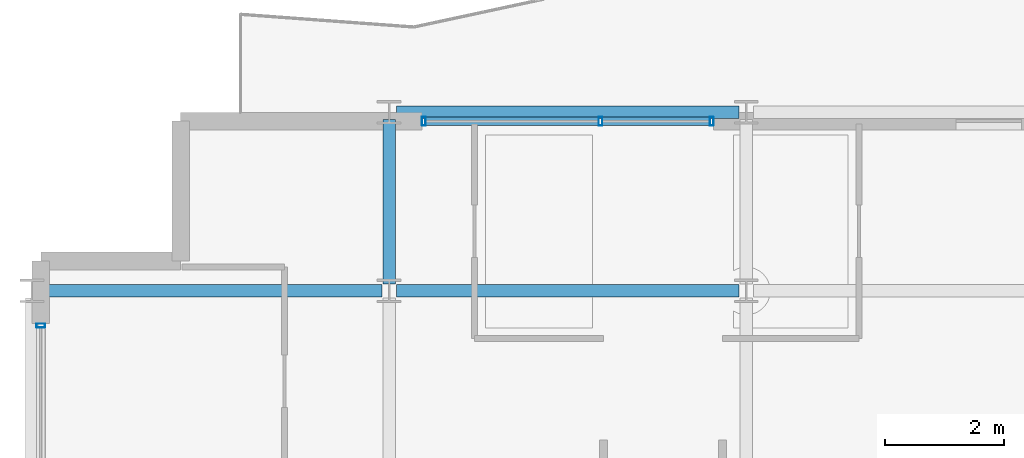
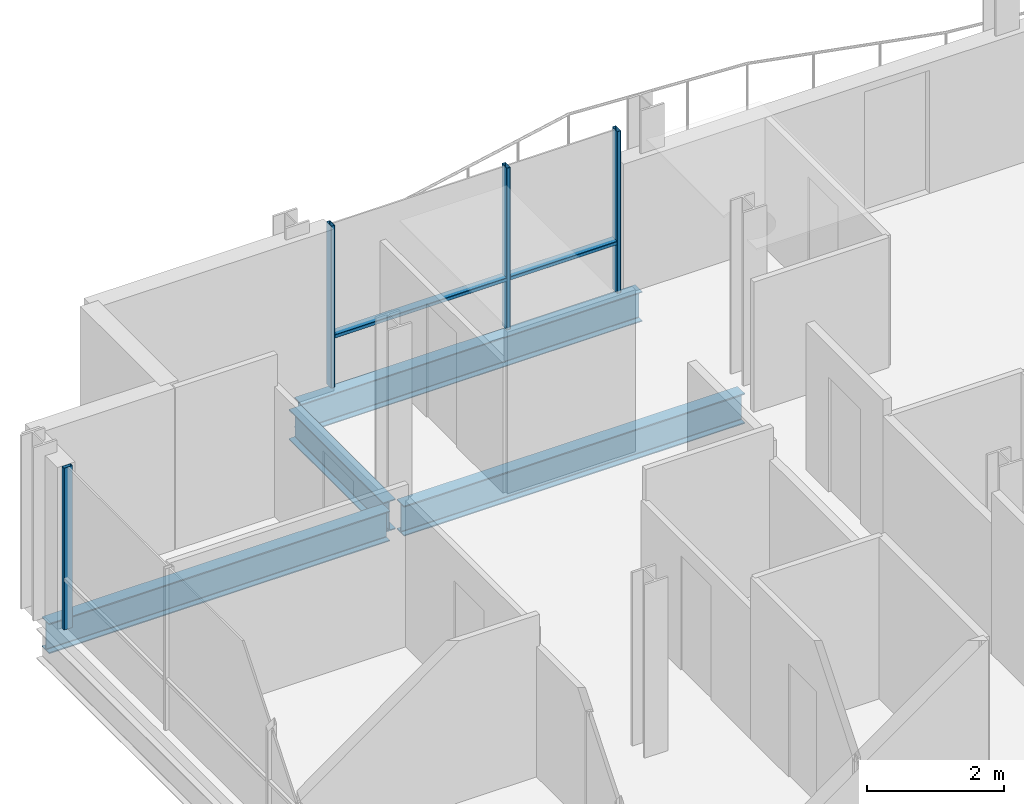
# One storey, part 7 of 33: 6 members, 4 beams, 2 elements without a shape of their own.
"""IFC4 building model written with IfcOpenShell, lengths in metres."""

from ifc_helpers import new_model, si_unit, direction, frame, origin, origin_2d, place, context, subcontext, project, spatial, hollow_rectangle, i_section, extrude, material, layer, layer_set, material_profile, profile_set, type_object, element, aggregate, save


model = new_model("IFC4")

# Units and contexts
model_context = context("Model", 3, precision=1e-05, world=origin(), true_north=direction((0.0, 1.0)))
body_context = subcontext(model_context, "Body", "Model", "MODEL_VIEW")
ifc_project = project(units=[si_unit("LENGTHUNIT", "METRE"), si_unit("AREAUNIT", "SQUARE_METRE"), si_unit("VOLUMEUNIT", "CUBIC_METRE"), si_unit("PLANEANGLEUNIT", "RADIAN"), si_unit("MASSUNIT", "GRAM", prefix="KILO")], contexts=[model_context])

# Site, building, storey
site_placement = place(None, origin())
site = spatial("IfcSite", under=ifc_project, at=site_placement, CompositionType="ELEMENT")
building_placement = place(site_placement, origin())
building = spatial("IfcBuilding", under=site, at=building_placement, Name="Brevholm Reach", CompositionType="ELEMENT")
storey_placement = place(building_placement, frame((0.0, 0.0, 189.39990234375)))
storey = spatial("IfcBuildingStorey", under=building, at=storey_placement, Name="L57", CompositionType="ELEMENT", Elevation=189.39990234375)

# Beams
ifc_material_1 = material(Name="Structural Steel S355J2", Category="steel")
ifc_material_profile_1 = material_profile(ifc_material_1, i_section(OverallWidth=0.209228515625, OverallDepth=0.533203125, WebThickness=0.010009765625, FlangeThickness=0.015625, FilletRadius=0.0126953125, at=origin_2d()), Name="UKB 533x210x92")
ifc_profile_set_1 = profile_set([ifc_material_profile_1], Name="Structural Steel S355J2")
beam_type_1 = type_object("IfcBeamType", Name="BM-SP533", PredefinedType="SPANDREL", material=ifc_profile_set_1)
beam_1_placement = place(storey_placement, frame((6.1201171875, 26.5, -0.4765625), z_axis=(1.0, 0.0, 0.0), x_axis=(0.0, 1.0, 0.0)))
element("IfcBeam", 1, at=beam_1_placement, inside=storey, type_object=beam_type_1, Name="L57 SP-02 Framing Beam", PredefinedType="SPANDREL", context=body_context, shape_type="SweptSolid", body=[
    extrude(i_section(OverallWidth=0.209228515625, OverallDepth=0.533203125, WebThickness=0.010009765625, FlangeThickness=0.015625, FilletRadius=0.0126953125, at=origin_2d()), origin(), (0.0, 0.0, 1.0), 5.759765625),
])
ifc_material_2 = material(Name="Structural Steel S355J2", Category="steel")
ifc_material_profile_2 = material_profile(ifc_material_2, i_section(OverallWidth=0.210693359375, OverallDepth=0.53955078125, WebThickness=0.01171875, FlangeThickness=0.018798828125, FilletRadius=0.0126953125, at=origin_2d()), Name="UKB 533x210x109")
ifc_profile_set_2 = profile_set([ifc_material_profile_2], Name="Structural Steel S355J2")
beam_type_2 = type_object("IfcBeamType", Name="BM-SP539", PredefinedType="SPANDREL", material=ifc_profile_set_2)
for number, where, z_axis, x_axis, name in (
    (2, (0.1201171875, 23.5, -0.479736328125), (1.0, 0.0, 0.0), (0.0, 1.0, 0.0), "L57 SP-01B Framing Beam"),
    (3, (6.1201171875, 23.5, -0.479736328125), (1.0, 0.0, 0.0), (0.0, 1.0, 0.0), "L57 SP-01B Framing Beam"),
):
    element("IfcBeam", number, at=place(storey_placement, frame(where, z_axis=z_axis, x_axis=x_axis)), inside=storey, type_object=beam_type_2, Name=name, PredefinedType="SPANDREL", context=body_context, shape_type="SweptSolid", body=[
        extrude(i_section(OverallWidth=0.210693359375, OverallDepth=0.53955078125, WebThickness=0.01171875, FlangeThickness=0.018798828125, FilletRadius=0.0126953125, at=origin_2d()), origin(), (0.0, 0.0, 1.0), 5.759765625),
    ])
beam_2_placement = place(storey_placement, frame((6.0, 23.6201171875, -0.479736328125), z_axis=(0.0, 1.0, 0.0), x_axis=(-1.0, 0.0, 0.0)))
element("IfcBeam", 4, at=beam_2_placement, inside=storey, type_object=beam_type_2, Name="L57 SP-01B Framing Beam", PredefinedType="SPANDREL", context=body_context, shape_type="SweptSolid", body=[
    extrude(i_section(OverallWidth=0.210693359375, OverallDepth=0.53955078125, WebThickness=0.01171875, FlangeThickness=0.018798828125, FilletRadius=0.0126953125, at=origin_2d()), origin(), (0.0, 0.0, 1.0), 2.759765625),
])

# Curtain wall, member
ifc_material_3 = material(Name="Dark Anodised Aluminium 6063-T6 and Solar-Control Glass", Category="aluminium")
ifc_layer = layer(ifc_material_3, 0.14990234375)
ifc_layer_set = layer_set([ifc_layer], Name="Dark Anodised Aluminium 6063-T6 and Solar-Control Glass")
curtain_wall_type = type_object("IfcCurtainWallType", Name="CW-01", PredefinedType="NOTDEFINED", material=ifc_layer_set)
curtain_wall_1_placement = place(storey_placement, origin())
curtain_wall_1 = element("IfcCurtainWall", 5, at=curtain_wall_1_placement, inside=storey, type_object=curtain_wall_type, Name="L57 Curtain Wall CW-01", PredefinedType="NOTDEFINED")
ifc_material_4 = material(Name="Dark Anodised Aluminium 6063-T6", Category="aluminium")
ifc_material_profile_3 = material_profile(ifc_material_4, hollow_rectangle(XDim=0.06494140625, YDim=0.14990234375, WallThickness=0.0048828125, InnerFilletRadius=0.0048828125, OuterFilletRadius=0.010009765625, at=origin_2d()), Name="RHS 150x65x5")
ifc_profile_set_3 = profile_set([ifc_material_profile_3], Name="Dark Anodised Aluminium 6063-T6")
member_type_1 = type_object("IfcMemberType", Name="CWM-150", PredefinedType="MULLION", material=ifc_profile_set_3)
member_1_placement = place(storey_placement, frame((0.14990234375, 22.91748046875, 0.0), z_axis=(0.0, 0.0, 1.0), x_axis=(0.0, -1.0, 0.0)))
member_1 = element("IfcMember", 6, at=member_1_placement, type_object=member_type_1, Name="CM-150 Mullion 1", PredefinedType="MULLION", context=body_context, shape_type="SweptSolid", body=[
    extrude(hollow_rectangle(XDim=0.06494140625, YDim=0.14990234375, WallThickness=0.0048828125, InnerFilletRadius=0.0048828125, OuterFilletRadius=0.010009765625, at=origin_2d()), origin(), (0.0, 0.0, 1.0), 2.89013671875),
])
aggregate(curtain_wall_1, [member_1])

# Curtain wall, members
curtain_wall_2_placement = place(storey_placement, origin())
curtain_wall_2 = element("IfcCurtainWall", 7, at=curtain_wall_2_placement, inside=storey, type_object=curtain_wall_type, Name="L57 Curtain Wall CW-01", PredefinedType="NOTDEFINED")
member_2_placement = place(storey_placement, frame((6.58251953125, 26.35009765625, 0.0), z_axis=(0.0, 0.0, 1.0), x_axis=(1.0, 0.0, 0.0)))
member_2 = element("IfcMember", 8, at=member_2_placement, type_object=member_type_1, Name="CM-150 Mullion 1", PredefinedType="MULLION", context=body_context, shape_type="SweptSolid", body=[
    extrude(hollow_rectangle(XDim=0.06494140625, YDim=0.14990234375, WallThickness=0.0048828125, InnerFilletRadius=0.0048828125, OuterFilletRadius=0.010009765625, at=origin_2d()), origin(), (0.0, 0.0, 1.0), 2.89013671875),
])
member_3_placement = place(storey_placement, frame((9.550048828125, 26.35009765625, 0.0), z_axis=(0.0, 0.0, 1.0), x_axis=(1.0, 0.0, 0.0)))
member_3 = element("IfcMember", 9, at=member_3_placement, type_object=member_type_1, Name="CM-150 Mullion 2", PredefinedType="MULLION", context=body_context, shape_type="SweptSolid", body=[
    extrude(hollow_rectangle(XDim=0.06494140625, YDim=0.14990234375, WallThickness=0.0048828125, InnerFilletRadius=0.0048828125, OuterFilletRadius=0.010009765625, at=origin_2d()), origin(), (0.0, 0.0, 1.0), 2.89013671875),
])
member_4_placement = place(storey_placement, frame((11.41748046875, 26.35009765625, 0.0), z_axis=(0.0, 0.0, 1.0), x_axis=(1.0, 0.0, 0.0)))
member_4 = element("IfcMember", 10, at=member_4_placement, type_object=member_type_1, Name="CM-150 Mullion 3", PredefinedType="MULLION", context=body_context, shape_type="SweptSolid", body=[
    extrude(hollow_rectangle(XDim=0.06494140625, YDim=0.14990234375, WallThickness=0.0048828125, InnerFilletRadius=0.0048828125, OuterFilletRadius=0.010009765625, at=origin_2d()), origin(), (0.0, 0.0, 1.0), 2.89013671875),
])
ifc_material_5 = material(Name="Dark Anodised Aluminium 6063-T6", Category="aluminium")
ifc_material_profile_4 = material_profile(ifc_material_5, hollow_rectangle(XDim=0.06494140625, YDim=0.14990234375, WallThickness=0.0048828125, InnerFilletRadius=0.0048828125, OuterFilletRadius=0.010009765625, at=origin_2d()), Name="RHS 150x65x5")
ifc_profile_set_4 = profile_set([ifc_material_profile_4], Name="Dark Anodised Aluminium 6063-T6")
member_type_2 = type_object("IfcMemberType", Name="CWT-150", PredefinedType="NOTDEFINED", material=ifc_profile_set_4)
member_5_placement = place(storey_placement, frame((6.614990234375, 26.35009765625, 0.900146484375), z_axis=(1.0, 0.0, 0.0), x_axis=(0.0, 0.0, 1.0)))
member_5 = element("IfcMember", 11, at=member_5_placement, type_object=member_type_2, Name="CT-150 Transom 1.1", ObjectType="TRANSOM", PredefinedType="USERDEFINED", context=body_context, shape_type="SweptSolid", body=[
    extrude(hollow_rectangle(XDim=0.06494140625, YDim=0.14990234375, WallThickness=0.0048828125, InnerFilletRadius=0.0048828125, OuterFilletRadius=0.010009765625, at=origin_2d()), origin(), (0.0, 0.0, 1.0), 2.902587890625),
])
member_6_placement = place(storey_placement, frame((9.58251953125, 26.35009765625, 0.900146484375), z_axis=(1.0, 0.0, 0.0), x_axis=(0.0, 0.0, 1.0)))
member_6 = element("IfcMember", 12, at=member_6_placement, type_object=member_type_2, Name="CT-150 Transom 2.1", ObjectType="TRANSOM", PredefinedType="USERDEFINED", context=body_context, shape_type="SweptSolid", body=[
    extrude(hollow_rectangle(XDim=0.06494140625, YDim=0.14990234375, WallThickness=0.0048828125, InnerFilletRadius=0.0048828125, OuterFilletRadius=0.010009765625, at=origin_2d()), origin(), (0.0, 0.0, 1.0), 1.802490234375),
])
aggregate(curtain_wall_2, [member_2, member_3, member_4, member_5, member_6])

save(model, "model.ifc")
